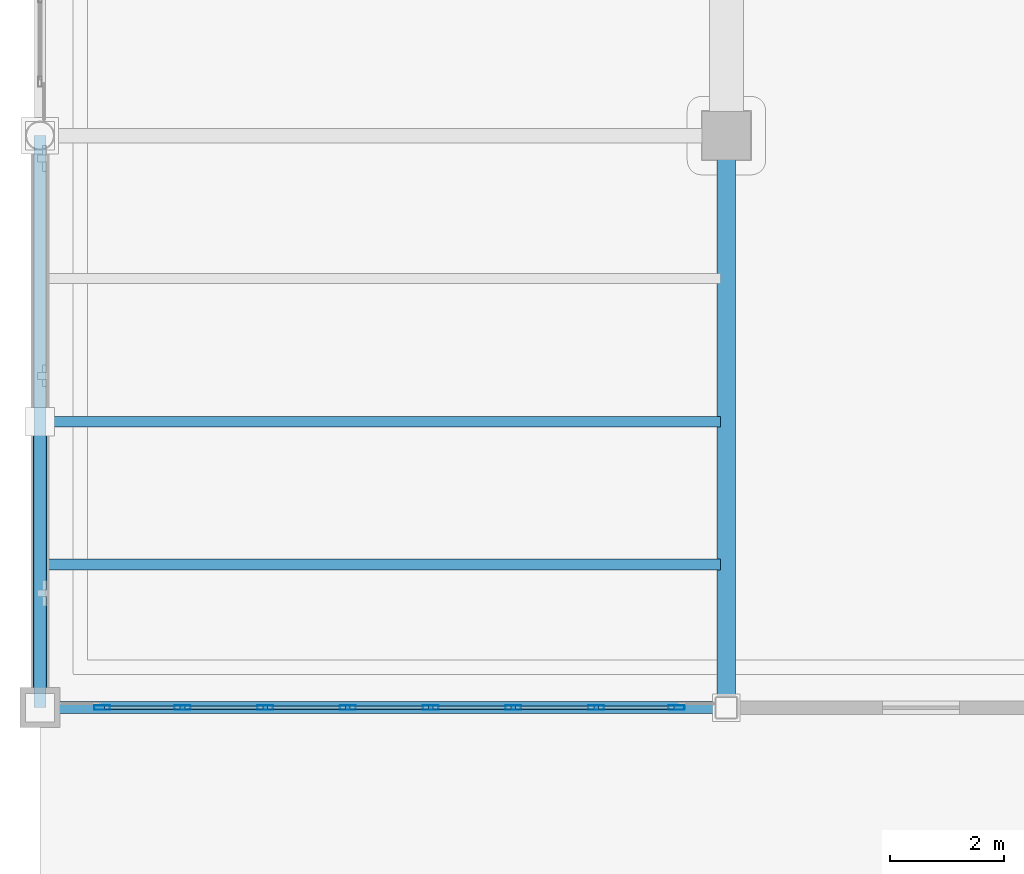
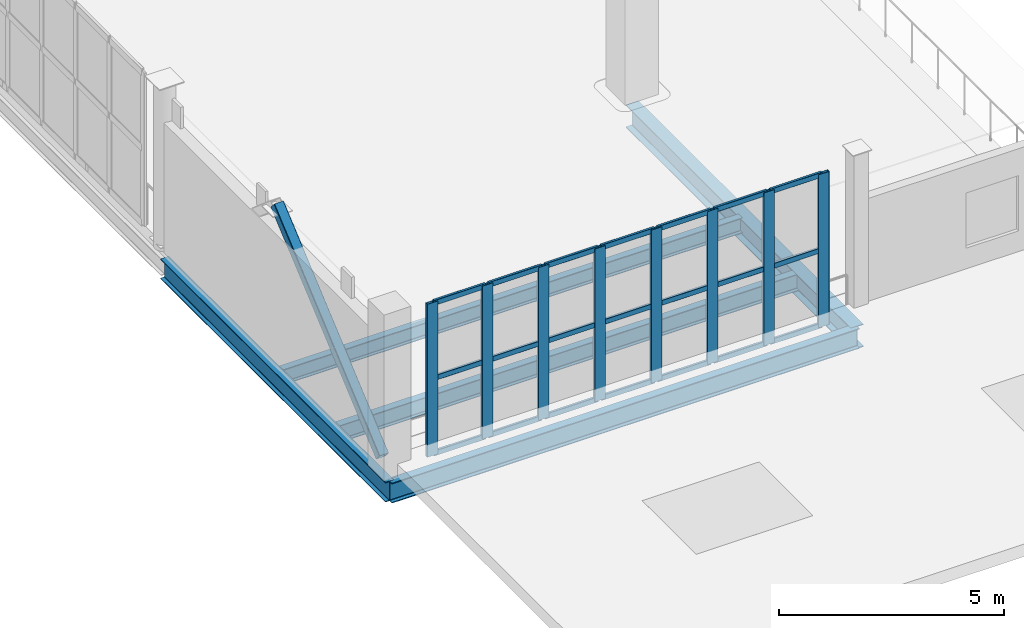
# One storey, part 8 of 108: 30 members, 5 beams, 1 element without a shape of its own.
"""IFC4 building model written with IfcOpenShell, lengths in metres."""

import ifcopenshell
import ifcopenshell.guid

model = None  # the IFC model being written
_history = None  # IfcOwnerHistory: only IFC2X3 demands one
_inside = {}  # id of a spatial element -> (the spatial element, [elements in it])
_under = {}  # id of a project, library or spatial element -> (it, [spatial elements below it])
_declared = {}  # id of a project -> (the project, [libraries it declares])
_typed = {}  # id of a type object -> (the type object, [elements of that type])
_made_of = {}  # id of a material, layer set ... -> (it, [elements and type objects made of it])


def new_model(schema):
    """Start an empty IFC model of exactly this schema.

    Asked for "IFC4X3", IfcOpenShell would pick the latest addendum, in which some entities
    have other attributes; the version numbers below select the first issue.
    IFC2X3 requires an IfcOwnerHistory on every rooted entity: one is made here for all.
    """
    global model, _history
    if schema == "IFC4X3":
        model = ifcopenshell.file(schema_version=(4, 3, 0, 0))
    else:
        model = ifcopenshell.file(schema=schema)
    _inside.clear()
    _under.clear()
    _declared.clear()
    _typed.clear()
    _made_of.clear()
    _history = None
    if model.schema == "IFC2X3":
        org = make("IfcOrganization", Name="unknown")
        user = make(
            "IfcPersonAndOrganization",
            ThePerson=make("IfcPerson", FamilyName="unknown"),
            TheOrganization=org,
        )
        app = make(
            "IfcApplication",
            ApplicationDeveloper=org,
            Version="unknown",
            ApplicationFullName="unknown",
            ApplicationIdentifier="unknown",
        )
        _history = make(
            "IfcOwnerHistory",
            OwningUser=user,
            OwningApplication=app,
            ChangeAction="ADDED",
            CreationDate=0,
        )
    return model


def make(cls, **values):
    """One entity of the class cls with the attributes given. An attribute that is None is left unset."""
    return model.create_entity(
        cls, **{name: value for name, value in values.items() if value is not None}
    )


def rooted(cls, **values):
    """An entity with a GlobalId (a new one), such as an element, a storey or a relation."""
    return make(cls, GlobalId=ifcopenshell.guid.new(), OwnerHistory=_history, **values)


def si_unit(unit_type, name, prefix=None):
    """IfcSIUnit, for example si_unit("LENGTHUNIT", "METRE", prefix="MILLI")."""
    return make("IfcSIUnit", UnitType=unit_type, Prefix=prefix, Name=name)


def assignment(units):
    """IfcUnitAssignment: the units of a project."""
    return None if units is None else make("IfcUnitAssignment", Units=units)


def point(xyz):
    """IfcCartesianPoint."""
    return None if xyz is None else make("IfcCartesianPoint", Coordinates=xyz)


def direction(xyz):
    """IfcDirection."""
    return None if xyz is None else make("IfcDirection", DirectionRatios=xyz)


def frame(location, z_axis=None, x_axis=None):
    """IfcAxis2Placement3D, a coordinate frame: its origin and axes. An axis left out is left unset."""
    return make(
        "IfcAxis2Placement3D",
        Location=point(location),
        Axis=direction(z_axis),
        RefDirection=direction(x_axis),
    )


def frame_2d(location, x_axis=None):
    """IfcAxis2Placement2D, a coordinate frame in the plane: its origin and x axis."""
    return make(
        "IfcAxis2Placement2D", Location=point(location), RefDirection=direction(x_axis)
    )


def origin():
    """The frame at (0, 0, 0) with its axes left unset."""
    return frame((0.0, 0.0, 0.0))


def origin_2d():
    """The frame at (0, 0) in the plane with its x axis left unset."""
    return frame_2d((0.0, 0.0))


def place(relative_to, where):
    """IfcLocalPlacement: puts the frame where relative to a parent placement (None: the world)."""
    return make(
        "IfcLocalPlacement", PlacementRelTo=relative_to, RelativePlacement=where
    )


def context(
    kind, dimensions, precision=None, world=None, true_north=None, identifier=None
):
    """IfcGeometricRepresentationContext, for example the 3D "Model" context."""
    return make(
        "IfcGeometricRepresentationContext",
        ContextIdentifier=identifier,
        ContextType=kind,
        CoordinateSpaceDimension=dimensions,
        Precision=precision,
        WorldCoordinateSystem=world,
        TrueNorth=true_north,
    )


def subcontext(parent, identifier, kind, view, scale=None):
    """IfcGeometricRepresentationSubContext, for example "Body" below "Model"."""
    return make(
        "IfcGeometricRepresentationSubContext",
        ContextIdentifier=identifier,
        ContextType=kind,
        ParentContext=parent,
        TargetScale=scale,
        TargetView=view,
    )


def project(units=None, contexts=None):
    """IfcProject with its units and contexts."""
    return rooted(
        "IfcProject",
        Name="project",
        RepresentationContexts=contexts,
        UnitsInContext=assignment(units),
    )


def spatial(cls, under=None, at=None, **own):
    """A site, building, storey or space (cls), placed at a placement, below another one or the project."""
    s = rooted(cls, ObjectPlacement=at, **own)
    if under is not None:
        _under.setdefault(under.id(), (under, []))[1].append(s)
    return s


def profile(cls, at=None, kind="AREA", **sizes):
    """A parametric profile (cls). Its sizes go by their IFC names, for example OverallWidth=200.0."""
    return make(cls, ProfileType=kind, Position=at, **sizes)


def hollow_rectangle(**sizes):
    """IfcRectangleHollowProfileDef."""
    return profile("IfcRectangleHollowProfileDef", **sizes)


def i_section(**sizes):
    """IfcIShapeProfileDef."""
    return profile("IfcIShapeProfileDef", **sizes)


def extrude(swept, where, along, depth):
    """IfcExtrudedAreaSolid: the profile swept, set in the frame where, extruded along a direction by depth."""
    return make(
        "IfcExtrudedAreaSolid",
        SweptArea=swept,
        Position=where,
        ExtrudedDirection=direction(along),
        Depth=depth,
    )


def shape(context_of_items, identifier, shape_type, items):
    """IfcShapeRepresentation: the items that make up one representation, for example the "Body"."""
    return make(
        "IfcShapeRepresentation",
        ContextOfItems=context_of_items,
        RepresentationIdentifier=identifier,
        RepresentationType=shape_type,
        Items=items,
    )


def material(Name=None, Category=None):
    """IfcMaterial."""
    return make("IfcMaterial", Name=Name, Category=Category)


def layer(
    of_material, thickness, ventilated=None, Name=None, Category=None, Priority=None
):
    """IfcMaterialLayer: one layer of a wall or slab, of a material (None: an air gap)."""
    return make(
        "IfcMaterialLayer",
        Material=of_material,
        LayerThickness=thickness,
        IsVentilated=ventilated,
        Name=Name,
        Category=Category,
        Priority=Priority,
    )


def layer_set(layers, Name=None):
    """IfcMaterialLayerSet."""
    return make("IfcMaterialLayerSet", MaterialLayers=layers, LayerSetName=Name)


def material_profile(
    of_material, cross_section, Name=None, Category=None, Priority=None
):
    """IfcMaterialProfile: a cross section and its material."""
    return make(
        "IfcMaterialProfile",
        Name=Name,
        Material=of_material,
        Profile=cross_section,
        Priority=Priority,
        Category=Category,
    )


def profile_set(profiles, Name=None, composite=None):
    """IfcMaterialProfileSet."""
    return make(
        "IfcMaterialProfileSet",
        Name=Name,
        MaterialProfiles=profiles,
        CompositeProfile=composite,
    )


def made_of(thing, what):
    """Note that an element or type object is made of a material, layer set ...; save() writes the relation."""
    if what is not None:
        _made_of.setdefault(what.id(), (what, []))[1].append(thing)
    return thing


def type_object(cls, material=None, **own):
    """A type object (cls), such as IfcWallType, which elements share."""
    return made_of(rooted(cls, **own), material)


def element(
    cls,
    number,
    at=None,
    inside=None,
    cuts=None,
    type_object=None,
    material=None,
    context=None,
    identifier="Body",
    shape_type=None,
    held_by="IfcProductDefinitionShape",
    body=None,
    shapes=None,
    **own,
):
    """One element of the class cls, such as IfcWall. Its Tag is "e" and its number.

    at: its placement. inside: the storey or other place that contains it. cuts: it is an
    opening in that element (IfcRelVoidsElement). A single representation is given by context,
    identifier, shape_type and body (its items); several are given by shapes. held_by: the class
    of the entity that holds the representations. save() writes the other relations.
    """
    e = rooted(cls, Tag="e%d" % number, ObjectPlacement=at, **own)
    if body is not None:
        shapes = [shape(context, identifier, shape_type, body)]
    if shapes is not None:
        e.Representation = make(held_by, Representations=shapes)
    if inside is not None:
        _inside.setdefault(inside.id(), (inside, []))[1].append(e)
    if cuts is not None:
        rooted(
            "IfcRelVoidsElement", RelatingBuildingElement=cuts, RelatedOpeningElement=e
        )
    if type_object is not None:
        _typed.setdefault(type_object.id(), (type_object, []))[1].append(e)
    return made_of(e, material)


def aggregate(whole, parts):
    """IfcRelAggregates: a whole, such as a stair, and the parts it consists of."""
    return rooted("IfcRelAggregates", RelatingObject=whole, RelatedObjects=parts)


def save(model, path):
    """Write the relations noted so far, then the file.

    IfcRelAggregates (storeys below a building ...), IfcRelContainedInSpatialStructure (elements
    in a storey), IfcRelDefinesByType, IfcRelAssociatesMaterial and IfcRelDeclares: one each for
    every whole, place, type object, material and project.
    """
    for whole, parts in _under.values():
        aggregate(whole, parts)
    for where, things in _inside.values():
        rooted(
            "IfcRelContainedInSpatialStructure",
            RelatedElements=things,
            RelatingStructure=where,
        )
    for kind, things in _typed.values():
        rooted("IfcRelDefinesByType", RelatedObjects=things, RelatingType=kind)
    for what, things in _made_of.values():
        rooted("IfcRelAssociatesMaterial", RelatedObjects=things, RelatingMaterial=what)
    for by, libraries in _declared.values():
        rooted("IfcRelDeclares", RelatingContext=by, RelatedDefinitions=libraries)
    model.write(path)


model = new_model("IFC4")

# Units and contexts
model_context = context("Model", 3, precision=1e-05, world=origin(), true_north=direction((0.0, 1.0)))
body_context = subcontext(model_context, "Body", "Model", "MODEL_VIEW")
ifc_project = project(units=[si_unit("LENGTHUNIT", "METRE"), si_unit("AREAUNIT", "SQUARE_METRE"), si_unit("VOLUMEUNIT", "CUBIC_METRE"), si_unit("PLANEANGLEUNIT", "RADIAN"), si_unit("MASSUNIT", "GRAM", prefix="KILO")], contexts=[model_context])

# Site, building, storey
site_placement = place(None, origin())
site = spatial("IfcSite", under=ifc_project, at=site_placement, CompositionType="ELEMENT")
building_placement = place(site_placement, origin())
building = spatial("IfcBuilding", under=site, at=building_placement, Name="Brinegate Civic Arena", CompositionType="ELEMENT")
storey_placement = place(building_placement, frame((0.0, 0.0, 10.199951171875)))
storey = spatial("IfcBuildingStorey", under=building, at=storey_placement, Name="L02", CompositionType="ELEMENT", Elevation=10.199951171875)

# Curtain wall, members
ifc_material_1 = material(Name="Marine grade aluminium", Category="aluminium")
ifc_layer = layer(ifc_material_1, 0.18505859375, Name="Marine grade aluminium")
ifc_layer_set = layer_set([ifc_layer], Name="Marine grade aluminium")
curtain_wall_type = type_object("IfcCurtainWallType", Name="CW-WING-GLAZED-03", PredefinedType="USERDEFINED", material=ifc_layer_set)
curtain_wall_placement = place(storey_placement, origin())
curtain_wall = element("IfcCurtainWall", 1, at=curtain_wall_placement, inside=storey, type_object=curtain_wall_type, Name="Curtain Wall CWA-095", ObjectType="GLAZED CURTAIN WALL", PredefinedType="USERDEFINED")
ifc_material_profile_1 = material_profile(ifc_material_1, hollow_rectangle(XDim=0.080078125, YDim=0.280029296875, WallThickness=0.007080078125, InnerFilletRadius=0.0048828125, OuterFilletRadius=0.010009765625, at=origin_2d()), Name="MUL80X280")
ifc_profile_set_1 = profile_set([ifc_material_profile_1], Name="Marine grade aluminium")
member_type_1 = type_object("IfcMemberType", Name="CW-MULLION-80X280", PredefinedType="MULLION", material=ifc_profile_set_1)
member_1_placement = place(storey_placement, frame((1.0849609375, 10.0, 0.0), z_axis=(0.0, 0.0, 1.0), x_axis=(0.0, 1.0, 0.0)))
member_1 = element("IfcMember", 2, at=member_1_placement, type_object=member_type_1, Name="CWA-095 mullion 1", PredefinedType="MULLION", context=body_context, shape_type="SweptSolid", body=[
    extrude(hollow_rectangle(XDim=0.080078125, YDim=0.280029296875, WallThickness=0.007080078125, InnerFilletRadius=0.0048828125, OuterFilletRadius=0.010009765625, at=origin_2d()), origin(), (0.0, 0.0, 1.0), 4.150146484375),
])
member_2_placement = place(storey_placement, frame((2.490966796875, 10.0, 0.0), z_axis=(0.0, 0.0, 1.0), x_axis=(0.0, 1.0, 0.0)))
member_2 = element("IfcMember", 3, at=member_2_placement, type_object=member_type_1, Name="CWA-095 mullion 2", PredefinedType="MULLION", context=body_context, shape_type="SweptSolid", body=[
    extrude(hollow_rectangle(XDim=0.080078125, YDim=0.280029296875, WallThickness=0.007080078125, InnerFilletRadius=0.0048828125, OuterFilletRadius=0.010009765625, at=origin_2d()), origin(), (0.0, 0.0, 1.0), 4.150146484375),
])
member_3_placement = place(storey_placement, frame((3.93701171875, 10.0, 0.0), z_axis=(0.0, 0.0, 1.0), x_axis=(0.0, 1.0, 0.0)))
member_3 = element("IfcMember", 4, at=member_3_placement, type_object=member_type_1, Name="CWA-095 mullion 3", PredefinedType="MULLION", context=body_context, shape_type="SweptSolid", body=[
    extrude(hollow_rectangle(XDim=0.080078125, YDim=0.280029296875, WallThickness=0.007080078125, InnerFilletRadius=0.0048828125, OuterFilletRadius=0.010009765625, at=origin_2d()), origin(), (0.0, 0.0, 1.0), 4.150146484375),
])
member_4_placement = place(storey_placement, frame((5.383056640625, 10.0, 0.0), z_axis=(0.0, 0.0, 1.0), x_axis=(0.0, 1.0, 0.0)))
member_4 = element("IfcMember", 5, at=member_4_placement, type_object=member_type_1, Name="CWA-095 mullion 4", PredefinedType="MULLION", context=body_context, shape_type="SweptSolid", body=[
    extrude(hollow_rectangle(XDim=0.080078125, YDim=0.280029296875, WallThickness=0.007080078125, InnerFilletRadius=0.0048828125, OuterFilletRadius=0.010009765625, at=origin_2d()), origin(), (0.0, 0.0, 1.0), 4.150146484375),
])
member_5_placement = place(storey_placement, frame((6.8291015625, 10.0, 0.0), z_axis=(0.0, 0.0, 1.0), x_axis=(0.0, 1.0, 0.0)))
member_5 = element("IfcMember", 6, at=member_5_placement, type_object=member_type_1, Name="CWA-095 mullion 5", PredefinedType="MULLION", context=body_context, shape_type="SweptSolid", body=[
    extrude(hollow_rectangle(XDim=0.080078125, YDim=0.280029296875, WallThickness=0.007080078125, InnerFilletRadius=0.0048828125, OuterFilletRadius=0.010009765625, at=origin_2d()), origin(), (0.0, 0.0, 1.0), 4.150146484375),
])
member_6_placement = place(storey_placement, frame((8.27490234375, 10.0, 0.0), z_axis=(0.0, 0.0, 1.0), x_axis=(0.0, 1.0, 0.0)))
member_6 = element("IfcMember", 7, at=member_6_placement, type_object=member_type_1, Name="CWA-095 mullion 6", PredefinedType="MULLION", context=body_context, shape_type="SweptSolid", body=[
    extrude(hollow_rectangle(XDim=0.080078125, YDim=0.280029296875, WallThickness=0.007080078125, InnerFilletRadius=0.0048828125, OuterFilletRadius=0.010009765625, at=origin_2d()), origin(), (0.0, 0.0, 1.0), 4.150146484375),
])
member_7_placement = place(storey_placement, frame((9.720947265625, 10.0, 0.0), z_axis=(0.0, 0.0, 1.0), x_axis=(0.0, 1.0, 0.0)))
member_7 = element("IfcMember", 8, at=member_7_placement, type_object=member_type_1, Name="CWA-095 mullion 7", PredefinedType="MULLION", context=body_context, shape_type="SweptSolid", body=[
    extrude(hollow_rectangle(XDim=0.080078125, YDim=0.280029296875, WallThickness=0.007080078125, InnerFilletRadius=0.0048828125, OuterFilletRadius=0.010009765625, at=origin_2d()), origin(), (0.0, 0.0, 1.0), 4.150146484375),
])
member_8_placement = place(storey_placement, frame((11.126953125, 10.0, 0.0), z_axis=(0.0, 0.0, 1.0), x_axis=(0.0, 1.0, 0.0)))
member_8 = element("IfcMember", 9, at=member_8_placement, type_object=member_type_1, Name="CWA-095 mullion 8", PredefinedType="MULLION", context=body_context, shape_type="SweptSolid", body=[
    extrude(hollow_rectangle(XDim=0.080078125, YDim=0.280029296875, WallThickness=0.007080078125, InnerFilletRadius=0.0048828125, OuterFilletRadius=0.010009765625, at=origin_2d()), origin(), (0.0, 0.0, 1.0), 4.150146484375),
])
ifc_material_profile_2 = material_profile(ifc_material_1, hollow_rectangle(XDim=0.06494140625, YDim=0.139892578125, WallThickness=0.0048828125, InnerFilletRadius=0.00390625, OuterFilletRadius=0.008056640625, at=origin_2d()), Name="TRN65X140")
ifc_profile_set_2 = profile_set([ifc_material_profile_2], Name="Marine grade aluminium")
member_type_2 = type_object("IfcMemberType", Name="CW-TRANSOM-65X140", PredefinedType="USERDEFINED", material=ifc_profile_set_2)
member_9_placement = place(storey_placement, frame((1.125, 10.0, 0.032470703125), z_axis=(1.0, 0.0, 0.0), x_axis=(0.0, 1.0, 0.0)))
member_9 = element("IfcMember", 10, at=member_9_placement, type_object=member_type_2, Name="CWA-095 transom 1.1", ObjectType="TRANSOM", PredefinedType="USERDEFINED", context=body_context, shape_type="SweptSolid", body=[
    extrude(hollow_rectangle(XDim=0.06494140625, YDim=0.139892578125, WallThickness=0.0048828125, InnerFilletRadius=0.00390625, OuterFilletRadius=0.008056640625, at=origin_2d()), origin(), (0.0, 0.0, 1.0), 1.325927734375),
])
member_10_placement = place(storey_placement, frame((1.125, 10.0, 2.074951171875), z_axis=(1.0, 0.0, 0.0), x_axis=(0.0, 1.0, 0.0)))
member_10 = element("IfcMember", 11, at=member_10_placement, type_object=member_type_2, Name="CWA-095 transom 1.2", ObjectType="TRANSOM", PredefinedType="USERDEFINED", context=body_context, shape_type="SweptSolid", body=[
    extrude(hollow_rectangle(XDim=0.06494140625, YDim=0.139892578125, WallThickness=0.0048828125, InnerFilletRadius=0.00390625, OuterFilletRadius=0.008056640625, at=origin_2d()), origin(), (0.0, 0.0, 1.0), 1.325927734375),
])
member_11_placement = place(storey_placement, frame((1.125, 10.0, 4.117431640625), z_axis=(1.0, 0.0, 0.0), x_axis=(0.0, 1.0, 0.0)))
member_11 = element("IfcMember", 12, at=member_11_placement, type_object=member_type_2, Name="CWA-095 transom 1.3", ObjectType="TRANSOM", PredefinedType="USERDEFINED", context=body_context, shape_type="SweptSolid", body=[
    extrude(hollow_rectangle(XDim=0.06494140625, YDim=0.139892578125, WallThickness=0.0048828125, InnerFilletRadius=0.00390625, OuterFilletRadius=0.008056640625, at=origin_2d()), origin(), (0.0, 0.0, 1.0), 1.325927734375),
])
member_12_placement = place(storey_placement, frame((2.531005859375, 10.0, 0.032470703125), z_axis=(1.0, 0.0, 0.0), x_axis=(0.0, 1.0, 0.0)))
member_12 = element("IfcMember", 13, at=member_12_placement, type_object=member_type_2, Name="CWA-095 transom 2.1", ObjectType="TRANSOM", PredefinedType="USERDEFINED", context=body_context, shape_type="SweptSolid", body=[
    extrude(hollow_rectangle(XDim=0.06494140625, YDim=0.139892578125, WallThickness=0.0048828125, InnerFilletRadius=0.00390625, OuterFilletRadius=0.008056640625, at=origin_2d()), origin(), (0.0, 0.0, 1.0), 1.365966796875),
])
member_13_placement = place(storey_placement, frame((2.531005859375, 10.0, 2.074951171875), z_axis=(1.0, 0.0, 0.0), x_axis=(0.0, 1.0, 0.0)))
member_13 = element("IfcMember", 14, at=member_13_placement, type_object=member_type_2, Name="CWA-095 transom 2.2", ObjectType="TRANSOM", PredefinedType="USERDEFINED", context=body_context, shape_type="SweptSolid", body=[
    extrude(hollow_rectangle(XDim=0.06494140625, YDim=0.139892578125, WallThickness=0.0048828125, InnerFilletRadius=0.00390625, OuterFilletRadius=0.008056640625, at=origin_2d()), origin(), (0.0, 0.0, 1.0), 1.365966796875),
])
member_14_placement = place(storey_placement, frame((2.531005859375, 10.0, 4.117431640625), z_axis=(1.0, 0.0, 0.0), x_axis=(0.0, 1.0, 0.0)))
member_14 = element("IfcMember", 15, at=member_14_placement, type_object=member_type_2, Name="CWA-095 transom 2.3", ObjectType="TRANSOM", PredefinedType="USERDEFINED", context=body_context, shape_type="SweptSolid", body=[
    extrude(hollow_rectangle(XDim=0.06494140625, YDim=0.139892578125, WallThickness=0.0048828125, InnerFilletRadius=0.00390625, OuterFilletRadius=0.008056640625, at=origin_2d()), origin(), (0.0, 0.0, 1.0), 1.365966796875),
])
member_15_placement = place(storey_placement, frame((3.97705078125, 10.0, 0.032470703125), z_axis=(1.0, 0.0, 0.0), x_axis=(0.0, 1.0, 0.0)))
member_15 = element("IfcMember", 16, at=member_15_placement, type_object=member_type_2, Name="CWA-095 transom 3.1", ObjectType="TRANSOM", PredefinedType="USERDEFINED", context=body_context, shape_type="SweptSolid", body=[
    extrude(hollow_rectangle(XDim=0.06494140625, YDim=0.139892578125, WallThickness=0.0048828125, InnerFilletRadius=0.00390625, OuterFilletRadius=0.008056640625, at=origin_2d()), origin(), (0.0, 0.0, 1.0), 1.365966796875),
])
member_16_placement = place(storey_placement, frame((3.97705078125, 10.0, 2.074951171875), z_axis=(1.0, 0.0, 0.0), x_axis=(0.0, 1.0, 0.0)))
member_16 = element("IfcMember", 17, at=member_16_placement, type_object=member_type_2, Name="CWA-095 transom 3.2", ObjectType="TRANSOM", PredefinedType="USERDEFINED", context=body_context, shape_type="SweptSolid", body=[
    extrude(hollow_rectangle(XDim=0.06494140625, YDim=0.139892578125, WallThickness=0.0048828125, InnerFilletRadius=0.00390625, OuterFilletRadius=0.008056640625, at=origin_2d()), origin(), (0.0, 0.0, 1.0), 1.365966796875),
])
member_17_placement = place(storey_placement, frame((3.97705078125, 10.0, 4.117431640625), z_axis=(1.0, 0.0, 0.0), x_axis=(0.0, 1.0, 0.0)))
member_17 = element("IfcMember", 18, at=member_17_placement, type_object=member_type_2, Name="CWA-095 transom 3.3", ObjectType="TRANSOM", PredefinedType="USERDEFINED", context=body_context, shape_type="SweptSolid", body=[
    extrude(hollow_rectangle(XDim=0.06494140625, YDim=0.139892578125, WallThickness=0.0048828125, InnerFilletRadius=0.00390625, OuterFilletRadius=0.008056640625, at=origin_2d()), origin(), (0.0, 0.0, 1.0), 1.365966796875),
])
member_18_placement = place(storey_placement, frame((5.423095703125, 10.0, 0.032470703125), z_axis=(1.0, 0.0, 0.0), x_axis=(0.0, 1.0, 0.0)))
member_18 = element("IfcMember", 19, at=member_18_placement, type_object=member_type_2, Name="CWA-095 transom 4.1", ObjectType="TRANSOM", PredefinedType="USERDEFINED", context=body_context, shape_type="SweptSolid", body=[
    extrude(hollow_rectangle(XDim=0.06494140625, YDim=0.139892578125, WallThickness=0.0048828125, InnerFilletRadius=0.00390625, OuterFilletRadius=0.008056640625, at=origin_2d()), origin(), (0.0, 0.0, 1.0), 1.365966796875),
])
member_19_placement = place(storey_placement, frame((5.423095703125, 10.0, 2.074951171875), z_axis=(1.0, 0.0, 0.0), x_axis=(0.0, 1.0, 0.0)))
member_19 = element("IfcMember", 20, at=member_19_placement, type_object=member_type_2, Name="CWA-095 transom 4.2", ObjectType="TRANSOM", PredefinedType="USERDEFINED", context=body_context, shape_type="SweptSolid", body=[
    extrude(hollow_rectangle(XDim=0.06494140625, YDim=0.139892578125, WallThickness=0.0048828125, InnerFilletRadius=0.00390625, OuterFilletRadius=0.008056640625, at=origin_2d()), origin(), (0.0, 0.0, 1.0), 1.365966796875),
])
member_20_placement = place(storey_placement, frame((5.423095703125, 10.0, 4.117431640625), z_axis=(1.0, 0.0, 0.0), x_axis=(0.0, 1.0, 0.0)))
member_20 = element("IfcMember", 21, at=member_20_placement, type_object=member_type_2, Name="CWA-095 transom 4.3", ObjectType="TRANSOM", PredefinedType="USERDEFINED", context=body_context, shape_type="SweptSolid", body=[
    extrude(hollow_rectangle(XDim=0.06494140625, YDim=0.139892578125, WallThickness=0.0048828125, InnerFilletRadius=0.00390625, OuterFilletRadius=0.008056640625, at=origin_2d()), origin(), (0.0, 0.0, 1.0), 1.365966796875),
])
member_21_placement = place(storey_placement, frame((6.868896484375, 10.0, 0.032470703125), z_axis=(1.0, 0.0, 0.0), x_axis=(0.0, 1.0, 0.0)))
member_21 = element("IfcMember", 22, at=member_21_placement, type_object=member_type_2, Name="CWA-095 transom 5.1", ObjectType="TRANSOM", PredefinedType="USERDEFINED", context=body_context, shape_type="SweptSolid", body=[
    extrude(hollow_rectangle(XDim=0.06494140625, YDim=0.139892578125, WallThickness=0.0048828125, InnerFilletRadius=0.00390625, OuterFilletRadius=0.008056640625, at=origin_2d()), origin(), (0.0, 0.0, 1.0), 1.3662109375),
])
member_22_placement = place(storey_placement, frame((6.868896484375, 10.0, 2.074951171875), z_axis=(1.0, 0.0, 0.0), x_axis=(0.0, 1.0, 0.0)))
member_22 = element("IfcMember", 23, at=member_22_placement, type_object=member_type_2, Name="CWA-095 transom 5.2", ObjectType="TRANSOM", PredefinedType="USERDEFINED", context=body_context, shape_type="SweptSolid", body=[
    extrude(hollow_rectangle(XDim=0.06494140625, YDim=0.139892578125, WallThickness=0.0048828125, InnerFilletRadius=0.00390625, OuterFilletRadius=0.008056640625, at=origin_2d()), origin(), (0.0, 0.0, 1.0), 1.3662109375),
])
member_23_placement = place(storey_placement, frame((6.868896484375, 10.0, 4.117431640625), z_axis=(1.0, 0.0, 0.0), x_axis=(0.0, 1.0, 0.0)))
member_23 = element("IfcMember", 24, at=member_23_placement, type_object=member_type_2, Name="CWA-095 transom 5.3", ObjectType="TRANSOM", PredefinedType="USERDEFINED", context=body_context, shape_type="SweptSolid", body=[
    extrude(hollow_rectangle(XDim=0.06494140625, YDim=0.139892578125, WallThickness=0.0048828125, InnerFilletRadius=0.00390625, OuterFilletRadius=0.008056640625, at=origin_2d()), origin(), (0.0, 0.0, 1.0), 1.3662109375),
])
member_24_placement = place(storey_placement, frame((8.31494140625, 10.0, 0.032470703125), z_axis=(1.0, 0.0, 0.0), x_axis=(0.0, 1.0, 0.0)))
member_24 = element("IfcMember", 25, at=member_24_placement, type_object=member_type_2, Name="CWA-095 transom 6.1", ObjectType="TRANSOM", PredefinedType="USERDEFINED", context=body_context, shape_type="SweptSolid", body=[
    extrude(hollow_rectangle(XDim=0.06494140625, YDim=0.139892578125, WallThickness=0.0048828125, InnerFilletRadius=0.00390625, OuterFilletRadius=0.008056640625, at=origin_2d()), origin(), (0.0, 0.0, 1.0), 1.365966796875),
])
member_25_placement = place(storey_placement, frame((8.31494140625, 10.0, 2.074951171875), z_axis=(1.0, 0.0, 0.0), x_axis=(0.0, 1.0, 0.0)))
member_25 = element("IfcMember", 26, at=member_25_placement, type_object=member_type_2, Name="CWA-095 transom 6.2", ObjectType="TRANSOM", PredefinedType="USERDEFINED", context=body_context, shape_type="SweptSolid", body=[
    extrude(hollow_rectangle(XDim=0.06494140625, YDim=0.139892578125, WallThickness=0.0048828125, InnerFilletRadius=0.00390625, OuterFilletRadius=0.008056640625, at=origin_2d()), origin(), (0.0, 0.0, 1.0), 1.365966796875),
])
member_26_placement = place(storey_placement, frame((8.31494140625, 10.0, 4.117431640625), z_axis=(1.0, 0.0, 0.0), x_axis=(0.0, 1.0, 0.0)))
member_26 = element("IfcMember", 27, at=member_26_placement, type_object=member_type_2, Name="CWA-095 transom 6.3", ObjectType="TRANSOM", PredefinedType="USERDEFINED", context=body_context, shape_type="SweptSolid", body=[
    extrude(hollow_rectangle(XDim=0.06494140625, YDim=0.139892578125, WallThickness=0.0048828125, InnerFilletRadius=0.00390625, OuterFilletRadius=0.008056640625, at=origin_2d()), origin(), (0.0, 0.0, 1.0), 1.365966796875),
])
member_27_placement = place(storey_placement, frame((9.760986328125, 10.0, 0.032470703125), z_axis=(1.0, 0.0, 0.0), x_axis=(0.0, 1.0, 0.0)))
member_27 = element("IfcMember", 28, at=member_27_placement, type_object=member_type_2, Name="CWA-095 transom 7.1", ObjectType="TRANSOM", PredefinedType="USERDEFINED", context=body_context, shape_type="SweptSolid", body=[
    extrude(hollow_rectangle(XDim=0.06494140625, YDim=0.139892578125, WallThickness=0.0048828125, InnerFilletRadius=0.00390625, OuterFilletRadius=0.008056640625, at=origin_2d()), origin(), (0.0, 0.0, 1.0), 1.325927734375),
])
member_28_placement = place(storey_placement, frame((9.760986328125, 10.0, 2.074951171875), z_axis=(1.0, 0.0, 0.0), x_axis=(0.0, 1.0, 0.0)))
member_28 = element("IfcMember", 29, at=member_28_placement, type_object=member_type_2, Name="CWA-095 transom 7.2", ObjectType="TRANSOM", PredefinedType="USERDEFINED", context=body_context, shape_type="SweptSolid", body=[
    extrude(hollow_rectangle(XDim=0.06494140625, YDim=0.139892578125, WallThickness=0.0048828125, InnerFilletRadius=0.00390625, OuterFilletRadius=0.008056640625, at=origin_2d()), origin(), (0.0, 0.0, 1.0), 1.325927734375),
])
member_29_placement = place(storey_placement, frame((9.760986328125, 10.0, 4.117431640625), z_axis=(1.0, 0.0, 0.0), x_axis=(0.0, 1.0, 0.0)))
member_29 = element("IfcMember", 30, at=member_29_placement, type_object=member_type_2, Name="CWA-095 transom 7.3", ObjectType="TRANSOM", PredefinedType="USERDEFINED", context=body_context, shape_type="SweptSolid", body=[
    extrude(hollow_rectangle(XDim=0.06494140625, YDim=0.139892578125, WallThickness=0.0048828125, InnerFilletRadius=0.00390625, OuterFilletRadius=0.008056640625, at=origin_2d()), origin(), (0.0, 0.0, 1.0), 1.325927734375),
])
aggregate(curtain_wall, [member_1, member_2, member_3, member_4, member_5, member_6, member_7, member_8, member_9, member_10, member_11, member_12, member_13, member_14, member_15, member_16, member_17, member_18, member_19, member_20, member_21, member_22, member_23, member_24, member_25, member_26, member_27, member_28, member_29])

# Beams
ifc_material_2 = material(Name="Steel S355", Category="steel")
ifc_material_profile_3 = material_profile(ifc_material_2, i_section(OverallWidth=0.324951171875, OverallDepth=0.615966796875, WebThickness=0.013916015625, FlangeThickness=0.02197265625, FilletRadius=0.01611328125, at=origin_2d()), Name="W610X174")
ifc_profile_set_3 = profile_set([ifc_material_profile_3], Name="Steel S355")
beam_type_1 = type_object("IfcBeamType", Name="GIRDER-W610X174", PredefinedType="BEAM", material=ifc_profile_set_3)
beam_1_placement = place(storey_placement, frame((12.0, 10.0, -0.637939453125), z_axis=(0.0, 1.0, 0.0), x_axis=(-1.0, 0.0, 0.0)))
element("IfcBeam", 31, at=beam_1_placement, inside=storey, type_object=beam_type_1, Name="Floor Girder BM-L02-GY-01-01", PredefinedType="BEAM", context=body_context, shape_type="SweptSolid", body=[
    extrude(i_section(OverallWidth=0.324951171875, OverallDepth=0.615966796875, WebThickness=0.013916015625, FlangeThickness=0.02197265625, FilletRadius=0.01611328125, at=origin_2d()), origin(), (0.0, 0.0, 1.0), 10.0),
])
ifc_material_profile_4 = material_profile(ifc_material_2, i_section(OverallWidth=0.180908203125, OverallDepth=0.4169921875, WebThickness=0.010986328125, FlangeThickness=0.01806640625, FilletRadius=0.013916015625, at=origin_2d()), Name="W410X85")
ifc_profile_set_4 = profile_set([ifc_material_profile_4], Name="Steel S355")
beam_type_2 = type_object("IfcBeamType", Name="JOIST-W410X85", PredefinedType="JOIST", material=ifc_profile_set_4)
beam_2_placement = place(storey_placement, frame((0.10595703125, 15.0, -0.537841796875), z_axis=(1.0, 0.0, 0.0), x_axis=(0.0, 1.0, 0.0)))
element("IfcBeam", 32, at=beam_2_placement, inside=storey, type_object=beam_type_2, Name="Secondary Joist BM-L02-JX-00-01-2", PredefinedType="JOIST", context=body_context, shape_type="SweptSolid", body=[
    extrude(i_section(OverallWidth=0.180908203125, OverallDepth=0.4169921875, WebThickness=0.010986328125, FlangeThickness=0.01806640625, FilletRadius=0.013916015625, at=origin_2d()), origin(), (0.0, 0.0, 1.0), 11.7880859375),
])
ifc_material_profile_5 = material_profile(ifc_material_2, i_section(OverallWidth=0.19091796875, OverallDepth=0.4599609375, WebThickness=0.010009765625, FlangeThickness=0.01611328125, FilletRadius=0.014892578125, at=origin_2d()), Name="W460X82")
ifc_profile_set_5 = profile_set([ifc_material_profile_5], Name="Steel S355")
beam_type_3 = type_object("IfcBeamType", Name="JOIST-W460X82", PredefinedType="JOIST", material=ifc_profile_set_5)
beam_3_placement = place(storey_placement, frame((0.10595703125, 12.5, -0.56005859375), z_axis=(1.0, 0.0, 0.0), x_axis=(0.0, 1.0, 0.0)))
element("IfcBeam", 33, at=beam_3_placement, inside=storey, type_object=beam_type_3, Name="Secondary Joist BM-L02-JX-00-01-1", PredefinedType="JOIST", context=body_context, shape_type="SweptSolid", body=[
    extrude(i_section(OverallWidth=0.19091796875, OverallDepth=0.4599609375, WebThickness=0.010009765625, FlangeThickness=0.01611328125, FilletRadius=0.014892578125, at=origin_2d()), origin(), (0.0, 0.0, 1.0), 11.7880859375),
])

# Member
ifc_material_profile_6 = material_profile(ifc_material_2, hollow_rectangle(XDim=0.25, YDim=0.25, WallThickness=0.011962890625, InnerFilletRadius=0.011962890625, OuterFilletRadius=0.02392578125, at=origin_2d()), Name="SHS250X12")
ifc_profile_set_6 = profile_set([ifc_material_profile_6], Name="Steel S355")
member_type_3 = type_object("IfcMemberType", Name="SF-BRACE-SHS250", PredefinedType="BRACE", material=ifc_profile_set_6)
member_30_placement = place(storey_placement, frame((0.0, 10.320068359375, 0.150146484375), z_axis=(0.0, 0.760168413526, 0.649726083114), x_axis=(-1.0, 0.0, 0.0)))
element("IfcMember", 34, at=member_30_placement, inside=storey, type_object=member_type_3, Name="Lateral Chevron Brace 05-A", PredefinedType="BRACE", context=body_context, shape_type="SweptSolid", body=[
    extrude(hollow_rectangle(XDim=0.25, YDim=0.25, WallThickness=0.011962890625, InnerFilletRadius=0.011962890625, OuterFilletRadius=0.02392578125, at=origin_2d()), origin(), (0.0, 0.0, 1.0), 6.156494140625),
])

# Beams
ifc_material_profile_7 = material_profile(ifc_material_2, i_section(OverallWidth=0.2119140625, OverallDepth=0.5439453125, WebThickness=0.012939453125, FlangeThickness=0.02099609375, FilletRadius=0.01611328125, at=origin_2d()), Name="W530X123")
ifc_profile_set_7 = profile_set([ifc_material_profile_7], Name="Steel S355")
beam_type_4 = type_object("IfcBeamType", Name="SPANDREL-W530X123", PredefinedType="SPANDREL", material=ifc_profile_set_7)
beam_4_placement = place(storey_placement, frame((0.0, 10.0, -0.60205078125), z_axis=(1.0, 0.0, 0.0), x_axis=(0.0, 1.0, 0.0)))
element("IfcBeam", 35, at=beam_4_placement, inside=storey, type_object=beam_type_4, Name="Floor Girder BM-L02-GX-00-01", PredefinedType="SPANDREL", context=body_context, shape_type="SweptSolid", body=[
    extrude(i_section(OverallWidth=0.2119140625, OverallDepth=0.5439453125, WebThickness=0.012939453125, FlangeThickness=0.02099609375, FilletRadius=0.01611328125, at=origin_2d()), origin(), (0.0, 0.0, 1.0), 12.0),
])
beam_5_placement = place(storey_placement, frame((0.0, 10.0, -0.60205078125), z_axis=(0.0, 1.0, 0.0), x_axis=(-1.0, 0.0, 0.0)))
element("IfcBeam", 36, at=beam_5_placement, inside=storey, type_object=beam_type_4, Name="Floor Girder BM-L02-GY-00-01", PredefinedType="SPANDREL", context=body_context, shape_type="SweptSolid", body=[
    extrude(i_section(OverallWidth=0.2119140625, OverallDepth=0.5439453125, WebThickness=0.012939453125, FlangeThickness=0.02099609375, FilletRadius=0.01611328125, at=origin_2d()), origin(), (0.0, 0.0, 1.0), 10.0),
])

save(model, "model.ifc")
